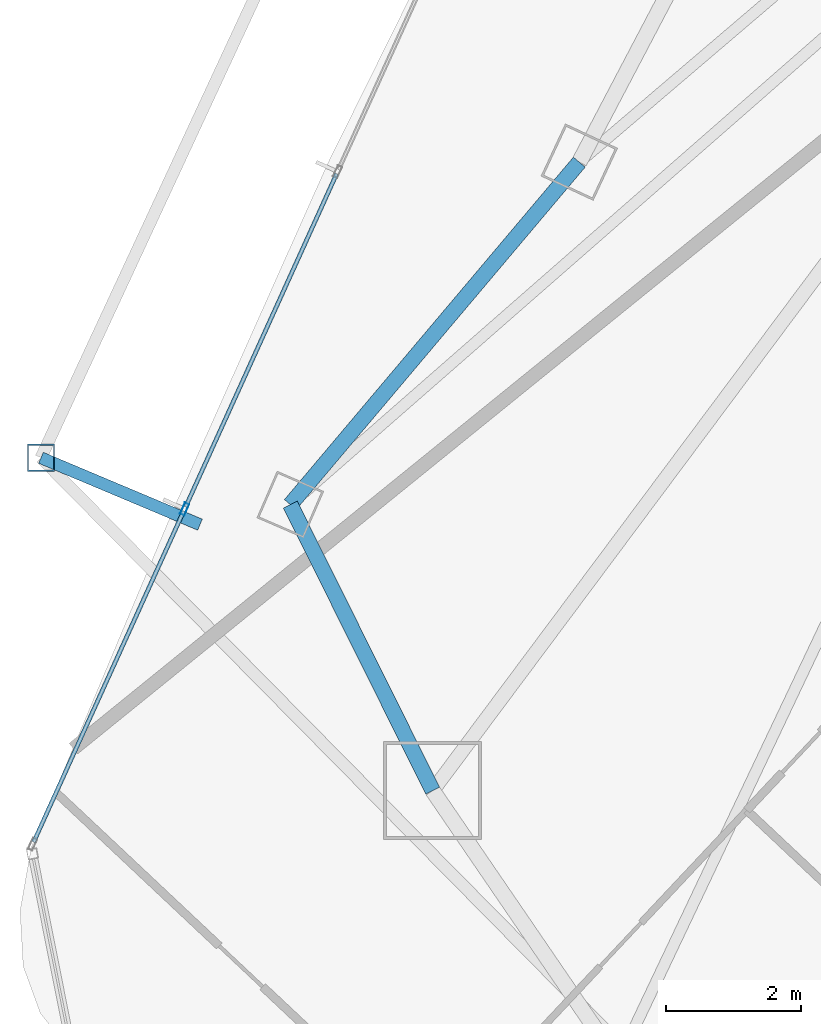
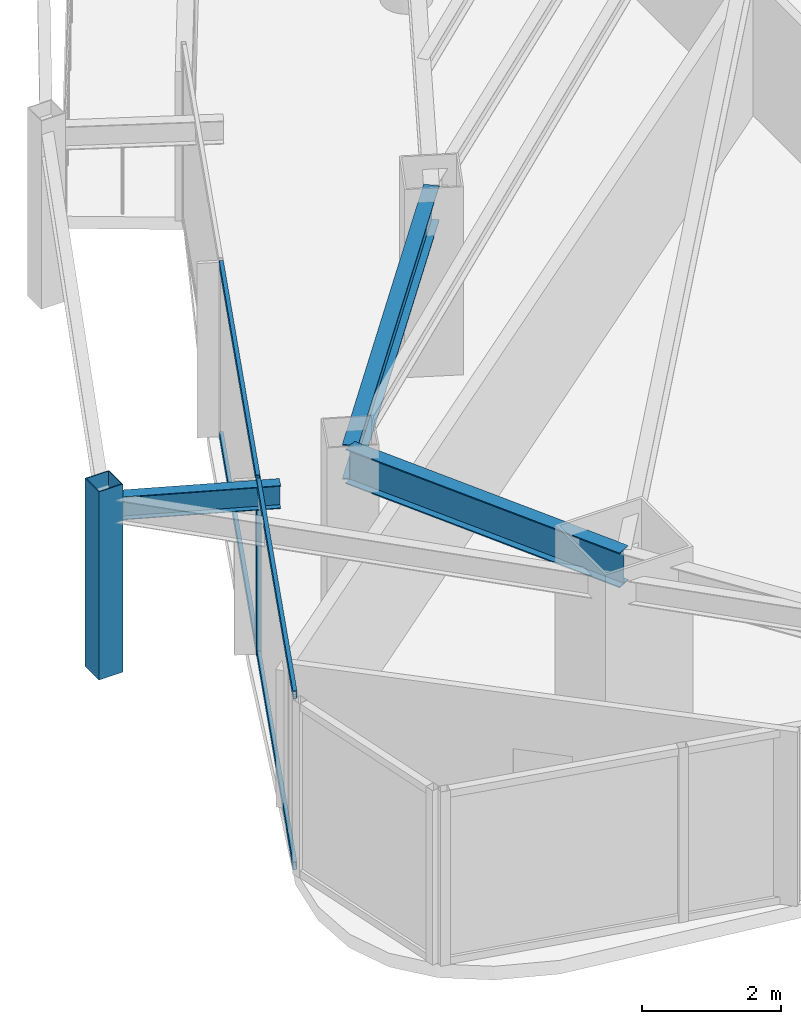
# One storey, part 5 of 29: 6 members, 3 beams, 1 element without a shape of its own.
"""IFC4 building model written with IfcOpenShell, lengths in metres."""

from ifc_helpers import new_model, si_unit, direction, frame, origin, origin_2d, place, context, subcontext, project, spatial, hollow_rectangle, i_section, extrude, material, layer, layer_set, material_profile, profile_set, type_object, element, aggregate, save


model = new_model("IFC4")

# Units and contexts
model_context = context("Model", 3, precision=1e-05, world=origin(), true_north=direction((0.0, 1.0)))
body_context = subcontext(model_context, "Body", "Model", "MODEL_VIEW")
ifc_project = project(units=[si_unit("LENGTHUNIT", "METRE"), si_unit("AREAUNIT", "SQUARE_METRE"), si_unit("VOLUMEUNIT", "CUBIC_METRE"), si_unit("PLANEANGLEUNIT", "RADIAN"), si_unit("MASSUNIT", "GRAM", prefix="KILO")], contexts=[model_context])

# Site, building, storey
site_placement = place(None, origin())
site = spatial("IfcSite", under=ifc_project, at=site_placement, CompositionType="ELEMENT")
building_placement = place(site_placement, origin())
building = spatial("IfcBuilding", under=site, at=building_placement, Name="Orvanel Arch Residences", CompositionType="ELEMENT")
storey_placement = place(building_placement, frame((0.0, 0.0, 160.550048828125)))
storey = spatial("IfcBuildingStorey", under=building, at=storey_placement, Name="L45", CompositionType="ELEMENT", Elevation=160.550048828125)

# Curtain wall, member
ifc_material_1 = material(Name="Bronze-anodised aluminium AA6063-T6", Category="aluminium")
ifc_layer = layer(ifc_material_1, 0.179931640625)
ifc_layer_set = layer_set([ifc_layer], Name="Bronze-anodised aluminium AA6063-T6")
curtain_wall_type = type_object("IfcCurtainWallType", Name="CW3-MID-SYS", PredefinedType="NOTDEFINED", material=ifc_layer_set)
curtain_wall_placement = place(storey_placement, origin())
curtain_wall = element("IfcCurtainWall", 1, at=curtain_wall_placement, inside=storey, type_object=curtain_wall_type, Name="L45 CW3-MID-SYS Unitised Curtain Wall", PredefinedType="NOTDEFINED")
ifc_material_profile_1 = material_profile(ifc_material_1, hollow_rectangle(XDim=0.070068359375, YDim=0.179931640625, WallThickness=0.00439453125, at=origin_2d()), Name="ALU180x70x4.5")
ifc_profile_set_1 = profile_set([ifc_material_profile_1], Name="Bronze-anodised aluminium AA6063-T6")
member_type_1 = type_object("IfcMemberType", Name="MUL-180x70", PredefinedType="MULLION", material=ifc_profile_set_1)
member_1_placement = place(storey_placement, frame((10.532958984375, 14.514404296875, 0.0), z_axis=(0.0, 0.0, 1.0), x_axis=(0.910745569556, -0.412967925551, 0.0)))
member_1 = element("IfcMember", 2, at=member_1_placement, type_object=member_type_1, Name="CW-S3 mullion 3", PredefinedType="MULLION", context=body_context, shape_type="SweptSolid", body=[
    extrude(hollow_rectangle(XDim=0.070068359375, YDim=0.179931640625, WallThickness=0.00439453125, at=origin_2d()), origin(), (0.0, 0.0, 1.0), 3.06005859375),
])

# Beams
ifc_material_2 = material(Name="Structural steel AS/NZS 3679.1 Grade 300 (300 MPa)", Category="steel")
ifc_material_profile_2 = material_profile(ifc_material_2, i_section(OverallWidth=0.177978515625, OverallDepth=0.406005859375, WebThickness=0.0078125, FlangeThickness=0.0126953125, at=origin_2d()), Name="410UB59.7")
ifc_profile_set_2 = profile_set([ifc_material_profile_2], Name="Structural steel AS/NZS 3679.1 Grade 300 (300 MPa)")
beam_type_1 = type_object("IfcBeamType", Name="OB-410UB-EXT", PredefinedType="SPANDREL", material=ifc_profile_set_2)
beam_1_placement = place(storey_placement, frame((10.760009765625, 14.282958984375, 2.85693359375), z_axis=(-0.921763249201, 0.387753159139, 0.0), x_axis=(-0.387753159139, -0.921763249201, 0.0)))
element("IfcBeam", 3, at=beam_1_placement, inside=storey, type_object=beam_type_1, Name="L45 Outer Frame Radial Tie Beam 04", PredefinedType="SPANDREL", context=body_context, shape_type="SweptSolid", body=[
    extrude(i_section(OverallWidth=0.177978515625, OverallDepth=0.406005859375, WebThickness=0.0078125, FlangeThickness=0.0126953125, at=origin_2d()), origin(), (0.0, 0.0, 1.0), 2.550537109375),
])
ifc_material_profile_3 = material_profile(ifc_material_2, i_section(OverallWidth=0.22900390625, OverallDepth=0.612060546875, WebThickness=0.011962890625, FlangeThickness=0.01953125, at=origin_2d()), Name="610UB125")
ifc_profile_set_3 = profile_set([ifc_material_profile_3], Name="Structural steel AS/NZS 3679.1 Grade 300 (300 MPa)")
beam_type_2 = type_object("IfcBeamType", Name="SP-610UB", PredefinedType="SPANDREL", material=ifc_profile_set_3)
beam_2_placement = place(storey_placement, frame((16.366943359375, 19.64208984375, 2.75390625), z_axis=(-0.644950329775, -0.764224490659, 0.0), x_axis=(0.764224490659, -0.644950329775, 0.0)))
element("IfcBeam", 4, at=beam_2_placement, inside=storey, type_object=beam_type_2, Name="L45 Perimeter Spandrel Beam 01", PredefinedType="SPANDREL", context=body_context, shape_type="SweptSolid", body=[
    extrude(i_section(OverallWidth=0.22900390625, OverallDepth=0.612060546875, WebThickness=0.011962890625, FlangeThickness=0.01953125, at=origin_2d()), origin(), (0.0, 0.0, 1.0), 6.623779296875),
])
beam_3_placement = place(storey_placement, frame((12.094970703125, 14.580078125, 2.75390625), z_axis=(0.44543469453, -0.895314432425, 0.0), x_axis=(0.895314432425, 0.44543469453, 0.0)))
element("IfcBeam", 5, at=beam_3_placement, inside=storey, type_object=beam_type_2, Name="L45 Perimeter Spandrel Beam 02", PredefinedType="SPANDREL", context=body_context, shape_type="SweptSolid", body=[
    extrude(i_section(OverallWidth=0.22900390625, OverallDepth=0.612060546875, WebThickness=0.011962890625, FlangeThickness=0.01953125, at=origin_2d()), origin(), (0.0, 0.0, 1.0), 4.723388671875),
])

# Member
ifc_material_3 = material(Name="Structural steel AS/NZS 1163 C450L0 (Grade 450)", Category="steel")
ifc_material_profile_4 = material_profile(ifc_material_3, hollow_rectangle(XDim=0.39990234375, YDim=0.39990234375, WallThickness=0.01611328125, at=origin_2d()), Name="SHS400x400x16")
ifc_profile_set_4 = profile_set([ifc_material_profile_4], Name="Structural steel AS/NZS 1163 C450L0 (Grade 450)")
member_type_2 = type_object("IfcMemberType", Name="ST-400SHS-EXT", PredefinedType="STRUT", material=ifc_profile_set_4)
member_2_placement = place(storey_placement, frame((8.408935546875, 15.27197265625, 0.0), z_axis=(0.0, 0.0, 1.0), x_axis=(1.0, 0.0, 0.0)))
element("IfcMember", 6, at=member_2_placement, inside=storey, type_object=member_type_2, Name="L45 Outer Perimeter Frame Post 04", PredefinedType="STRUT", context=body_context, shape_type="SweptSolid", body=[
    extrude(hollow_rectangle(XDim=0.39990234375, YDim=0.39990234375, WallThickness=0.01611328125, at=origin_2d()), origin(), (0.0, 0.0, 1.0), 3.300048828125),
])

ifc_material_profile_5 = material_profile(ifc_material_1, hollow_rectangle(XDim=0.06005859375, YDim=0.135009765625, WallThickness=0.00390625, at=origin_2d()), Name="ALU135x60x4")
ifc_profile_set_5 = profile_set([ifc_material_profile_5], Name="Bronze-anodised aluminium AA6063-T6")
member_type_3 = type_object("IfcMemberType", Name="TRN-135x60", PredefinedType="USERDEFINED", material=ifc_profile_set_5)
member_3_placement = place(storey_placement, frame((12.779541015625, 19.46875, 0.030029296875), z_axis=(-0.412979216065, -0.910740449908, 0.0), x_axis=(0.910740449908, -0.412979216065, 0.0)))
member_3 = element("IfcMember", 7, at=member_3_placement, type_object=member_type_3, Name="CW-S3 transom 2.1", ObjectType="TRANSOM", PredefinedType="USERDEFINED", context=body_context, shape_type="SweptSolid", body=[
    extrude(hollow_rectangle(XDim=0.06005859375, YDim=0.135009765625, WallThickness=0.00390625, at=origin_2d()), origin(), (0.0, 0.0, 1.0), 5.405029296875),
])

member_4_placement = place(storey_placement, frame((12.779541015625, 19.46875, 3.030029296875), z_axis=(-0.412979216065, -0.910740449908, 0.0), x_axis=(0.910740449908, -0.412979216065, 0.0)))
member_4 = element("IfcMember", 8, at=member_4_placement, type_object=member_type_3, Name="CW-S3 transom 2.2", ObjectType="TRANSOM", PredefinedType="USERDEFINED", context=body_context, shape_type="SweptSolid", body=[
    extrude(hollow_rectangle(XDim=0.06005859375, YDim=0.135009765625, WallThickness=0.00390625, at=origin_2d()), origin(), (0.0, 0.0, 1.0), 5.405029296875),
])

member_5_placement = place(storey_placement, frame((10.5185546875, 14.482421875, 0.030029296875), z_axis=(-0.412956684537, -0.910750666591, 0.0), x_axis=(0.910750666591, -0.412956684537, 0.0)))
member_5 = element("IfcMember", 9, at=member_5_placement, type_object=member_type_3, Name="CW-S3 transom 3.1", ObjectType="TRANSOM", PredefinedType="USERDEFINED", context=body_context, shape_type="SweptSolid", body=[
    extrude(hollow_rectangle(XDim=0.06005859375, YDim=0.135009765625, WallThickness=0.00390625, at=origin_2d()), origin(), (0.0, 0.0, 1.0), 5.369873046875),
])

member_6_placement = place(storey_placement, frame((10.5185546875, 14.482421875, 3.030029296875), z_axis=(-0.412956684537, -0.910750666591, 0.0), x_axis=(0.910750666591, -0.412956684537, 0.0)))
member_6 = element("IfcMember", 10, at=member_6_placement, type_object=member_type_3, Name="CW-S3 transom 3.2", ObjectType="TRANSOM", PredefinedType="USERDEFINED", context=body_context, shape_type="SweptSolid", body=[
    extrude(hollow_rectangle(XDim=0.06005859375, YDim=0.135009765625, WallThickness=0.00390625, at=origin_2d()), origin(), (0.0, 0.0, 1.0), 5.369873046875),
])

aggregate(curtain_wall, [member_1, member_3, member_4, member_5, member_6])

save(model, "model.ifc")
